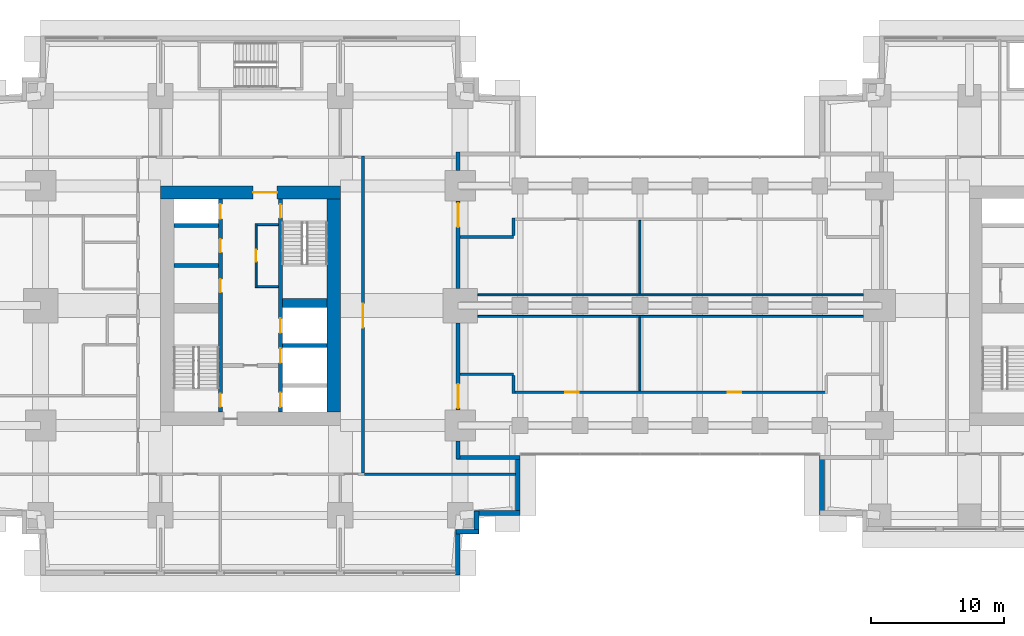
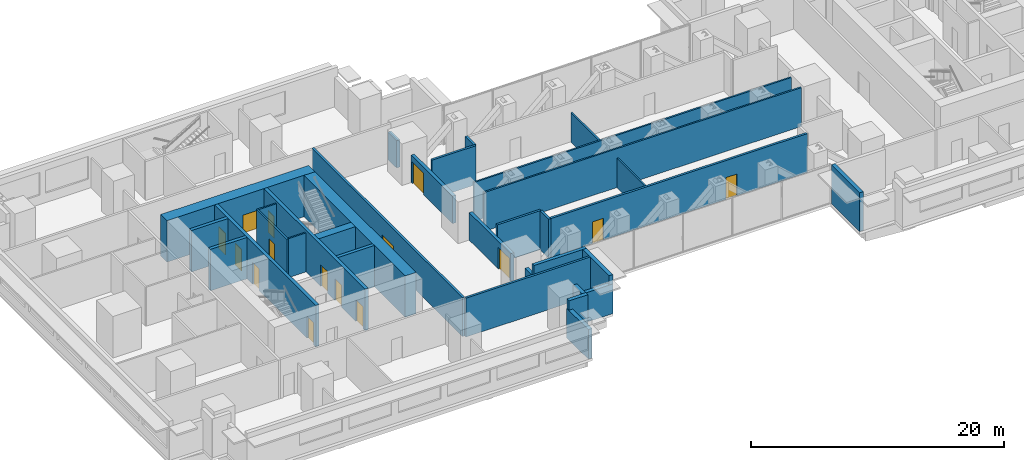
# One storey, part 8 of 14: 33 walls, 15 doors, 15 openings.
"""IFC4 building model written with IfcOpenShell, lengths in metres."""

from ifc_helpers import new_model, si_unit, direction, frame, frame_2d, origin, place, context, subcontext, project, spatial, rectangle, extrude, material, layer, layer_set, type_object, element, fill, save


model = new_model("IFC4")

# Units and contexts
model_context = context("Model", 3, precision=1e-05, world=origin(), true_north=direction((0.0, 1.0)))
body_context = subcontext(model_context, "Body", "Model", "MODEL_VIEW")
ifc_project = project(units=[si_unit("LENGTHUNIT", "METRE"), si_unit("AREAUNIT", "SQUARE_METRE"), si_unit("VOLUMEUNIT", "CUBIC_METRE"), si_unit("PLANEANGLEUNIT", "RADIAN"), si_unit("MASSUNIT", "GRAM", prefix="KILO")], contexts=[model_context])

# Site, building, storey
site_placement = place(None, origin())
site = spatial("IfcSite", under=ifc_project, at=site_placement, CompositionType="ELEMENT")
building_placement = place(site_placement, origin())
building = spatial("IfcBuilding", under=site, at=building_placement, Name="Namib Vertical Campus", CompositionType="ELEMENT")
storey_placement = place(building_placement, frame((0.0, 0.0, 133.0)))
storey = spatial("IfcBuildingStorey", under=building, at=storey_placement, Name="L31", CompositionType="ELEMENT", Elevation=133.0)

# Wall, openings, doors
ifc_material_1 = material(Name="Concrete C60/75", Category="concrete")
ifc_layer_1 = layer(ifc_material_1, 0.300048828125)
ifc_layer_set_1 = layer_set([ifc_layer_1], Name="Concrete C60/75")
wall_type_1 = type_object("IfcWallType", Name="Core inner wall 300", PredefinedType="SHEAR", material=ifc_layer_set_1)
wall_1_placement = place(storey_placement, frame((18.0, 12.25, 0.0), z_axis=(0.0, 0.0, 1.0), x_axis=(0.0, 1.0, 0.0)))
wall_1 = element("IfcWall", 1, at=wall_1_placement, inside=storey, type_object=wall_type_1, Name="Core inner wall A L31 W1", PredefinedType="SHEAR", context=body_context, shape_type="SweptSolid", body=[
    extrude(rectangle(XDim=16.0, YDim=0.300048828125, at=frame_2d((8.0, 0.0))), origin(), (0.0, 0.0, 1.0), 4.0),
])
opening_1_placement = place(wall_1_placement, frame((0.39990234375, 0.0, 0.0)))
opening_1 = element("IfcOpeningElement", 2, at=opening_1_placement, cuts=wall_1, Name="Opening FD1", PredefinedType="OPENING", context=body_context, shape_type="SweptSolid", body=[
    extrude(rectangle(XDim=1.0, YDim=2.10009765625, at=frame_2d((0.5, 1.050048828125))), frame((0.0, 0.159912109375, 0.0), z_axis=(0.0, -1.0, 0.0), x_axis=(1.0, 0.0, 0.0)), (0.0, 0.0, 1.0), 0.320068359375),
])
opening_2_placement = place(wall_1_placement, frame((14.52490234375, 0.0, 0.0)))
opening_2 = element("IfcOpeningElement", 3, at=opening_2_placement, cuts=wall_1, Name="Opening LD1", PredefinedType="OPENING", context=body_context, shape_type="SweptSolid", body=[
    extrude(rectangle(XDim=1.10009765625, YDim=2.10009765625, at=frame_2d((0.550048828125, 1.050048828125))), frame((0.0, 0.159912109375, 0.0), z_axis=(0.0, -1.0, 0.0), x_axis=(1.0, 0.0, 0.0)), (0.0, 0.0, 1.0), 0.320068359375),
])
opening_3_placement = place(wall_1_placement, frame((9.0, 0.0, 0.0)))
opening_3 = element("IfcOpeningElement", 4, at=opening_3_placement, cuts=wall_1, Name="Opening D1", PredefinedType="OPENING", context=body_context, shape_type="SweptSolid", body=[
    extrude(rectangle(XDim=1.0, YDim=2.10009765625, at=frame_2d((0.5, 1.050048828125))), frame((0.0, 0.159912109375, 0.0), z_axis=(0.0, -1.0, 0.0), x_axis=(1.0, 0.0, 0.0)), (0.0, 0.0, 1.0), 0.320068359375),
])
opening_4_placement = place(wall_1_placement, frame((12.0, 0.0, 0.0)))
opening_4 = element("IfcOpeningElement", 5, at=opening_4_placement, cuts=wall_1, Name="Opening D1", PredefinedType="OPENING", context=body_context, shape_type="SweptSolid", body=[
    extrude(rectangle(XDim=1.0, YDim=2.10009765625, at=frame_2d((0.5, 1.050048828125))), frame((0.0, 0.159912109375, 0.0), z_axis=(0.0, -1.0, 0.0), x_axis=(1.0, 0.0, 0.0)), (0.0, 0.0, 1.0), 0.320068359375),
])
ifc_material_2 = material(Name="Timber door leaf", Category="wood")
door_type_1 = type_object("IfcDoorType", Name="Door single 1000x2100", OperationType="SINGLE_SWING_LEFT", PredefinedType="DOOR", material=ifc_material_2)
door_1_placement = place(opening_3_placement, origin())
door_1 = element("IfcDoor", 6, at=door_1_placement, inside=storey, type_object=door_type_1, Name="Door D1 Store A L31 P1", OperationType="SINGLE_SWING_LEFT", OverallHeight=2.10009765625, OverallWidth=1.0, PredefinedType="DOOR", context=body_context, shape_type="SweptSolid", body=[
    extrude(rectangle(XDim=1.0, YDim=2.10009765625, at=frame_2d((0.5, 1.050048828125))), frame((0.0, 0.02490234375, 0.0), z_axis=(0.0, -1.0, 0.0), x_axis=(1.0, 0.0, 0.0)), (0.0, 0.0, 1.0), 0.050048828125),
])
fill(opening_3, door_1)
door_2_placement = place(opening_4_placement, origin())
door_2 = element("IfcDoor", 7, at=door_2_placement, inside=storey, type_object=door_type_1, Name="Door D1 Comms room A L31 P2", OperationType="SINGLE_SWING_LEFT", OverallHeight=2.10009765625, OverallWidth=1.0, PredefinedType="DOOR", context=body_context, shape_type="SweptSolid", body=[
    extrude(rectangle(XDim=1.0, YDim=2.10009765625, at=frame_2d((0.5, 1.050048828125))), frame((0.0, 0.02490234375, 0.0), z_axis=(0.0, -1.0, 0.0), x_axis=(1.0, 0.0, 0.0)), (0.0, 0.0, 1.0), 0.050048828125),
])
fill(opening_4, door_2)
ifc_material_3 = material(Name="Steel fire door", Category="steel")
door_type_2 = type_object("IfcDoorType", Name="Fire door 1000x2100", OperationType="SINGLE_SWING_RIGHT", PredefinedType="DOOR", material=ifc_material_3)
door_3_placement = place(opening_1_placement, origin())
door_3 = element("IfcDoor", 8, at=door_3_placement, inside=storey, type_object=door_type_2, Name="Stair door FD1 A L31 S1", OperationType="SINGLE_SWING_LEFT", OverallHeight=2.10009765625, OverallWidth=1.0, PredefinedType="DOOR", context=body_context, shape_type="SweptSolid", body=[
    extrude(rectangle(XDim=1.0, YDim=2.10009765625, at=frame_2d((0.5, 1.050048828125))), frame((0.0, 0.02490234375, 0.0), z_axis=(0.0, -1.0, 0.0), x_axis=(1.0, 0.0, 0.0)), (0.0, 0.0, 1.0), 0.050048828125),
])
fill(opening_1, door_3)
ifc_material_4 = material(Name="Stainless steel lift door", Category="steel")
door_type_3 = type_object("IfcDoorType", Name="Lift landing door 1100x2100", OperationType="DOUBLE_DOOR_SLIDING", PredefinedType="DOOR", material=ifc_material_4)
door_4_placement = place(opening_2_placement, origin())
door_4 = element("IfcDoor", 9, at=door_4_placement, inside=storey, type_object=door_type_3, Name="Lift landing door LD1 A-P3 L31", OperationType="DOUBLE_DOOR_SLIDING", OverallHeight=2.10009765625, OverallWidth=1.10009765625, PredefinedType="DOOR", context=body_context, shape_type="SweptSolid", body=[
    extrude(rectangle(XDim=1.10009765625, YDim=2.10009765625, at=frame_2d((0.550048828125, 1.050048828125))), frame((0.0, 0.02490234375, 0.0), z_axis=(0.0, -1.0, 0.0), x_axis=(1.0, 0.0, 0.0)), (0.0, 0.0, 1.0), 0.050048828125),
])
fill(opening_2, door_4)

wall_2_placement = place(storey_placement, frame((22.5, 12.25, 0.0), z_axis=(0.0, 0.0, 1.0), x_axis=(0.0, 1.0, 0.0)))
wall_2 = element("IfcWall", 10, at=wall_2_placement, inside=storey, type_object=wall_type_1, Name="Core inner wall A L31 W2", PredefinedType="SHEAR", context=body_context, shape_type="SweptSolid", body=[
    extrude(rectangle(XDim=16.0, YDim=0.300048828125, at=frame_2d((8.0, 0.0))), origin(), (0.0, 0.0, 1.0), 4.0),
])
opening_5_placement = place(wall_2_placement, frame((14.60009765625, 0.0, 0.0)))
opening_5 = element("IfcOpeningElement", 11, at=opening_5_placement, cuts=wall_2, Name="Opening FD1", PredefinedType="OPENING", context=body_context, shape_type="SweptSolid", body=[
    extrude(rectangle(XDim=1.0, YDim=2.10009765625, at=frame_2d((0.5, 1.050048828125))), frame((0.0, 0.159912109375, 0.0), z_axis=(0.0, -1.0, 0.0), x_axis=(1.0, 0.0, 0.0)), (0.0, 0.0, 1.0), 0.320068359375),
])
opening_6_placement = place(wall_2_placement, frame((0.375, 0.0, 0.0)))
opening_6 = element("IfcOpeningElement", 12, at=opening_6_placement, cuts=wall_2, Name="Opening LD1", PredefinedType="OPENING", context=body_context, shape_type="SweptSolid", body=[
    extrude(rectangle(XDim=1.10009765625, YDim=2.10009765625, at=frame_2d((0.550048828125, 1.050048828125))), frame((0.0, 0.159912109375, 0.0), z_axis=(0.0, -1.0, 0.0), x_axis=(1.0, 0.0, 0.0)), (0.0, 0.0, 1.0), 0.320068359375),
])
opening_7_placement = place(wall_2_placement, frame((3.699951171875, 0.0, 0.0)))
opening_7 = element("IfcOpeningElement", 13, at=opening_7_placement, cuts=wall_2, Name="Opening LD1", PredefinedType="OPENING", context=body_context, shape_type="SweptSolid", body=[
    extrude(rectangle(XDim=1.10009765625, YDim=2.10009765625, at=frame_2d((0.550048828125, 1.050048828125))), frame((0.0, 0.159912109375, 0.0), z_axis=(0.0, -1.0, 0.0), x_axis=(1.0, 0.0, 0.0)), (0.0, 0.0, 1.0), 0.320068359375),
])
opening_8_placement = place(wall_2_placement, frame((5.949951171875, 0.0, 0.0)))
opening_8 = element("IfcOpeningElement", 14, at=opening_8_placement, cuts=wall_2, Name="Opening LD1", PredefinedType="OPENING", context=body_context, shape_type="SweptSolid", body=[
    extrude(rectangle(XDim=1.10009765625, YDim=2.10009765625, at=frame_2d((0.550048828125, 1.050048828125))), frame((0.0, 0.159912109375, 0.0), z_axis=(0.0, -1.0, 0.0), x_axis=(1.0, 0.0, 0.0)), (0.0, 0.0, 1.0), 0.320068359375),
])
door_5_placement = place(opening_5_placement, frame((1.0, 0.0, 0.0), z_axis=(0.0, 0.0, 1.0), x_axis=(-1.0, 0.0, 0.0)))
door_5 = element("IfcDoor", 15, at=door_5_placement, inside=storey, type_object=door_type_2, Name="Stair door FD1 A L31 S2", OperationType="SINGLE_SWING_LEFT", OverallHeight=2.10009765625, OverallWidth=1.0, PredefinedType="DOOR", context=body_context, shape_type="SweptSolid", body=[
    extrude(rectangle(XDim=1.0, YDim=2.10009765625, at=frame_2d((0.5, 1.050048828125))), frame((0.0, 0.02490234375, 0.0), z_axis=(0.0, -1.0, 0.0), x_axis=(1.0, 0.0, 0.0)), (0.0, 0.0, 1.0), 0.050048828125),
])
fill(opening_5, door_5)
door_6_placement = place(opening_6_placement, origin())
door_6 = element("IfcDoor", 16, at=door_6_placement, inside=storey, type_object=door_type_3, Name="Lift landing door LD1 A-FL1 L31", OperationType="DOUBLE_DOOR_SLIDING", OverallHeight=2.10009765625, OverallWidth=1.10009765625, PredefinedType="DOOR", context=body_context, shape_type="SweptSolid", body=[
    extrude(rectangle(XDim=1.10009765625, YDim=2.10009765625, at=frame_2d((0.550048828125, 1.050048828125))), frame((0.0, 0.02490234375, 0.0), z_axis=(0.0, -1.0, 0.0), x_axis=(1.0, 0.0, 0.0)), (0.0, 0.0, 1.0), 0.050048828125),
])
fill(opening_6, door_6)
door_7_placement = place(opening_7_placement, origin())
door_7 = element("IfcDoor", 17, at=door_7_placement, inside=storey, type_object=door_type_3, Name="Lift landing door LD1 A-P4 L31", OperationType="DOUBLE_DOOR_SLIDING", OverallHeight=2.10009765625, OverallWidth=1.10009765625, PredefinedType="DOOR", context=body_context, shape_type="SweptSolid", body=[
    extrude(rectangle(XDim=1.10009765625, YDim=2.10009765625, at=frame_2d((0.550048828125, 1.050048828125))), frame((0.0, 0.02490234375, 0.0), z_axis=(0.0, -1.0, 0.0), x_axis=(1.0, 0.0, 0.0)), (0.0, 0.0, 1.0), 0.050048828125),
])
fill(opening_7, door_7)
door_8_placement = place(opening_8_placement, origin())
door_8 = element("IfcDoor", 18, at=door_8_placement, inside=storey, type_object=door_type_3, Name="Lift landing door LD1 A-P5 L31", OperationType="DOUBLE_DOOR_SLIDING", OverallHeight=2.10009765625, OverallWidth=1.10009765625, PredefinedType="DOOR", context=body_context, shape_type="SweptSolid", body=[
    extrude(rectangle(XDim=1.10009765625, YDim=2.10009765625, at=frame_2d((0.550048828125, 1.050048828125))), frame((0.0, 0.02490234375, 0.0), z_axis=(0.0, -1.0, 0.0), x_axis=(1.0, 0.0, 0.0)), (0.0, 0.0, 1.0), 0.050048828125),
])
fill(opening_8, door_8)

# Walls
for number, where, z_axis, x_axis, name in (
    (19, (22.64990234375, 17.25, 0.0), (0.0, 0.0, 1.0), (1.0, 0.0, 0.0), "Core inner wall A L31 W6"),
    (20, (14.5, 23.25, 0.0), (0.0, 0.0, 1.0), (1.0, 0.0, 0.0), "Core inner wall A L31 W8"),
    (21, (14.5, 26.25, 0.0), (0.0, 0.0, 1.0), (1.0, 0.0, 0.0), "Core inner wall A L31 W9"),
):
    element("IfcWall", number, at=place(storey_placement, frame(where, z_axis=z_axis, x_axis=x_axis)), inside=storey, type_object=wall_type_1, Name=name, PredefinedType="SHEAR", context=body_context, shape_type="SweptSolid", body=[
        extrude(rectangle(XDim=3.35009765625, YDim=0.300048828125, at=frame_2d((1.675048828125, 0.0))), origin(), (0.0, 0.0, 1.0), 4.0),
    ])
ifc_material_5 = material(Name="Concrete C60/75", Category="concrete")
ifc_layer_2 = layer(ifc_material_5, 0.699951171875)
ifc_layer_set_2 = layer_set([ifc_layer_2], Name="Concrete C60/75")
wall_type_2 = type_object("IfcWallType", Name="Core shear wall 700", PredefinedType="SHEAR", material=ifc_layer_set_2)
wall_3_placement = place(storey_placement, frame((22.64990234375, 20.449951171875, 0.0), z_axis=(0.0, 0.0, 1.0), x_axis=(1.0, 0.0, 0.0)))
element("IfcWall", 22, at=wall_3_placement, inside=storey, type_object=wall_type_2, Name="Core shear wall A L31 W7", PredefinedType="SHEAR", context=body_context, shape_type="SweptSolid", body=[
    extrude(rectangle(XDim=3.35009765625, YDim=0.699951171875, at=frame_2d((1.675048828125, 0.0))), origin(), (0.0, 0.0, 1.0), 4.0),
])
ifc_material_6 = material(Name="Concrete C60/75", Category="concrete")
ifc_layer_3 = layer(ifc_material_6, 1.0)
ifc_layer_set_3 = layer_set([ifc_layer_3], Name="Concrete C60/75")
wall_type_3 = type_object("IfcWallType", Name="Core wall 1000", PredefinedType="SHEAR", material=ifc_layer_set_3)
wall_4_placement = place(storey_placement, frame((26.5, 12.25, 0.0), z_axis=(0.0, 0.0, 1.0), x_axis=(0.0, 1.0, 0.0)))
element("IfcWall", 23, at=wall_4_placement, inside=storey, type_object=wall_type_3, Name="Core wall A L31 2", PredefinedType="SHEAR", context=body_context, shape_type="SweptSolid", body=[
    extrude(rectangle(XDim=16.0, YDim=1.0, at=frame_2d((8.0, 0.0))), origin(), (0.0, 0.0, 1.0), 4.0),
])

# Wall, opening, door
wall_5_placement = place(storey_placement, frame((27.0, 28.75, 0.0), z_axis=(0.0, 0.0, 1.0), x_axis=(-1.0, 0.0, 0.0)))
wall_5 = element("IfcWall", 24, at=wall_5_placement, inside=storey, type_object=wall_type_3, Name="Core wall A L31 3", PredefinedType="SHEAR", context=body_context, shape_type="SweptSolid", body=[
    extrude(rectangle(XDim=13.5, YDim=1.0, at=frame_2d((6.75, 0.0))), origin(), (0.0, 0.0, 1.0), 4.0),
])
opening_9_placement = place(wall_5_placement, frame((4.75, 0.0, 0.0)))
opening_9 = element("IfcOpeningElement", 25, at=opening_9_placement, cuts=wall_5, Name="Opening FD2", PredefinedType="OPENING", context=body_context, shape_type="SweptSolid", body=[
    extrude(rectangle(XDim=1.800048828125, YDim=2.10009765625, at=frame_2d((0.89990234375, 1.050048828125))), frame((0.0, 0.510009765625, 0.0), z_axis=(0.0, -1.0, 0.0), x_axis=(1.0, 0.0, 0.0)), (0.0, 0.0, 1.0), 1.02001953125),
])
ifc_material_7 = material(Name="Steel fire door", Category="steel")
door_type_4 = type_object("IfcDoorType", Name="Fire door double 1800x2100", OperationType="DOUBLE_DOOR_SINGLE_SWING", PredefinedType="DOOR", material=ifc_material_7)
door_9_placement = place(opening_9_placement, origin())
door_9 = element("IfcDoor", 26, at=door_9_placement, inside=storey, type_object=door_type_4, Name="Lift lobby door FD2 A L31", OperationType="DOUBLE_DOOR_SINGLE_SWING", OverallHeight=2.10009765625, OverallWidth=1.800048828125, PredefinedType="DOOR", context=body_context, shape_type="SweptSolid", body=[
    extrude(rectangle(XDim=1.800048828125, YDim=2.10009765625, at=frame_2d((0.89990234375, 1.050048828125))), frame((0.0, 0.02490234375, 0.0), z_axis=(0.0, -1.0, 0.0), x_axis=(1.0, 0.0, 0.0)), (0.0, 0.0, 1.0), 0.050048828125),
])
fill(opening_9, door_9)

ifc_material_8 = material(Name="Concrete masonry", Category="masonry")
ifc_layer_4 = layer(ifc_material_8, 0.199951171875)
ifc_layer_set_4 = layer_set([ifc_layer_4], Name="Corridor wall 200")
wall_type_4 = type_object("IfcWallType", Name="Corridor wall 200", PredefinedType="SOLIDWALL", material=ifc_layer_set_4)
wall_6_placement = place(storey_placement, frame((28.699951171875, 7.699951171875, 0.0), z_axis=(0.0, 0.0, 1.0), x_axis=(0.0, 1.0, 0.0)))
wall_6 = element("IfcWall", 27, at=wall_6_placement, inside=storey, type_object=wall_type_4, Name="Corridor wall A L31 CE", PredefinedType="SOLIDWALL", context=body_context, shape_type="SweptSolid", body=[
    extrude(rectangle(XDim=23.800048828125, YDim=0.199951171875, at=frame_2d((11.89990234375, 0.0))), origin(), (0.0, 0.0, 1.0), 3.75),
])
opening_10_placement = place(wall_6_placement, frame((10.89990234375, 0.0, 0.0)))
opening_10 = element("IfcOpeningElement", 28, at=opening_10_placement, cuts=wall_6, Name="Opening FD2", PredefinedType="OPENING", context=body_context, shape_type="SweptSolid", body=[
    extrude(rectangle(XDim=1.800048828125, YDim=2.10009765625, at=frame_2d((0.89990234375, 1.050048828125))), frame((0.0, 0.10986328125, 0.0), z_axis=(0.0, -1.0, 0.0), x_axis=(1.0, 0.0, 0.0)), (0.0, 0.0, 1.0), 0.219970703125),
])
door_10_placement = place(opening_10_placement, origin())
door_10 = element("IfcDoor", 29, at=door_10_placement, inside=storey, type_object=door_type_4, Name="Door FD2 A31-05", OperationType="DOUBLE_DOOR_SINGLE_SWING", OverallHeight=2.10009765625, OverallWidth=1.800048828125, PredefinedType="DOOR", context=body_context, shape_type="SweptSolid", body=[
    extrude(rectangle(XDim=1.800048828125, YDim=2.10009765625, at=frame_2d((0.89990234375, 1.050048828125))), frame((0.0, 0.02490234375, 0.0), z_axis=(0.0, -1.0, 0.0), x_axis=(1.0, 0.0, 0.0)), (0.0, 0.0, 1.0), 0.050048828125),
])
fill(opening_10, door_10)

# Wall
wall_7_placement = place(storey_placement, frame((28.800048828125, 7.60009765625, 0.0), z_axis=(0.0, 0.0, 1.0), x_axis=(1.0, 0.0, 0.0)))
element("IfcWall", 30, at=wall_7_placement, inside=storey, type_object=wall_type_4, Name="Partition A L31 BSE", PredefinedType="SOLIDWALL", context=body_context, shape_type="SweptSolid", body=[
    extrude(rectangle(XDim=11.39990234375, YDim=0.199951171875, at=frame_2d((5.699951171875, 0.0))), origin(), (0.0, 0.0, 1.0), 3.75),
])

# Wall, openings, doors
wall_8_placement = place(storey_placement, frame((40.0, 13.75, 0.0), z_axis=(0.0, 0.0, 1.0), x_axis=(1.0, 0.0, 0.0)))
wall_8 = element("IfcWall", 31, at=wall_8_placement, inside=storey, type_object=wall_type_4, Name="Corridor wall L31", PredefinedType="SOLIDWALL", context=body_context, shape_type="SweptSolid", body=[
    extrude(rectangle(XDim=23.5, YDim=0.199951171875, at=frame_2d((11.75, 0.0))), origin(), (0.0, 0.0, 1.0), 3.75),
])
opening_11_placement = place(wall_8_placement, frame((3.89990234375, 0.0, 0.0)))
opening_11 = element("IfcOpeningElement", 32, at=opening_11_placement, cuts=wall_8, Name="Opening CD1", PredefinedType="OPENING", context=body_context, shape_type="SweptSolid", body=[
    extrude(rectangle(XDim=1.0, YDim=2.10009765625, at=frame_2d((0.5, 1.050048828125))), frame((0.0, 0.10986328125, 0.0), z_axis=(0.0, -1.0, 0.0), x_axis=(1.0, 0.0, 0.0)), (0.0, 0.0, 1.0), 0.219970703125),
])
opening_12_placement = place(wall_8_placement, frame((16.10009765625, 0.0, 0.0)))
opening_12 = element("IfcOpeningElement", 33, at=opening_12_placement, cuts=wall_8, Name="Opening CD1", PredefinedType="OPENING", context=body_context, shape_type="SweptSolid", body=[
    extrude(rectangle(XDim=1.0, YDim=2.10009765625, at=frame_2d((0.5, 1.050048828125))), frame((0.0, 0.10986328125, 0.0), z_axis=(0.0, -1.0, 0.0), x_axis=(1.0, 0.0, 0.0)), (0.0, 0.0, 1.0), 0.219970703125),
])
ifc_material_9 = material(Name="Timber fire door leaf", Category="wood")
door_type_5 = type_object("IfcDoorType", Name="Corridor door 1000x2100 20 min", OperationType="SINGLE_SWING_LEFT", PredefinedType="DOOR", material=ifc_material_9)
door_11_placement = place(opening_11_placement, origin())
door_11 = element("IfcDoor", 34, at=door_11_placement, inside=storey, type_object=door_type_5, Name="Door CD1 BR31-03", OperationType="SINGLE_SWING_LEFT", OverallHeight=2.10009765625, OverallWidth=1.0, PredefinedType="DOOR", context=body_context, shape_type="SweptSolid", body=[
    extrude(rectangle(XDim=1.0, YDim=2.10009765625, at=frame_2d((0.5, 1.050048828125))), frame((0.0, 0.02490234375, 0.0), z_axis=(0.0, -1.0, 0.0), x_axis=(1.0, 0.0, 0.0)), (0.0, 0.0, 1.0), 0.050048828125),
])
fill(opening_11, door_11)
door_12_placement = place(opening_12_placement, origin())
door_12 = element("IfcDoor", 35, at=door_12_placement, inside=storey, type_object=door_type_5, Name="Door CD1 BR31-04", OperationType="SINGLE_SWING_RIGHT", OverallHeight=2.10009765625, OverallWidth=1.0, PredefinedType="DOOR", context=body_context, shape_type="SweptSolid", body=[
    extrude(rectangle(XDim=1.0, YDim=2.10009765625, at=frame_2d((0.5, 1.050048828125))), frame((0.0, 0.02490234375, 0.0), z_axis=(0.0, -1.0, 0.0), x_axis=(1.0, 0.0, 0.0)), (0.0, 0.0, 1.0), 0.050048828125),
])
fill(opening_12, door_12)

# Walls
wall_9_placement = place(storey_placement, frame((36.0, 15.10009765625, 0.0), z_axis=(0.0, 0.0, 1.0), x_axis=(1.0, 0.0, 0.0)))
element("IfcWall", 36, at=wall_9_placement, inside=storey, type_object=wall_type_4, Name="Lobby wall L31 W", PredefinedType="SOLIDWALL", context=body_context, shape_type="SweptSolid", body=[
    extrude(rectangle(XDim=4.0, YDim=0.199951171875, at=frame_2d((2.0, 0.0))), origin(), (0.0, 0.0, 1.0), 3.75),
])
wall_10_placement = place(storey_placement, frame((40.0, 13.64990234375, 0.0), z_axis=(0.0, 0.0, 1.0), x_axis=(0.0, 1.0, 0.0)))
element("IfcWall", 37, at=wall_10_placement, inside=storey, type_object=wall_type_4, Name="Lobby side wall L31 W", PredefinedType="SOLIDWALL", context=body_context, shape_type="SweptSolid", body=[
    extrude(rectangle(XDim=1.35009765625, YDim=0.199951171875, at=frame_2d((0.675048828125, 0.0))), origin(), (0.0, 0.0, 1.0), 3.75),
])
wall_11_placement = place(storey_placement, frame((36.0, 25.39990234375, 0.0), z_axis=(0.0, 0.0, 1.0), x_axis=(1.0, 0.0, 0.0)))
element("IfcWall", 38, at=wall_11_placement, inside=storey, type_object=wall_type_4, Name="Lobby wall L31 NW", PredefinedType="SOLIDWALL", context=body_context, shape_type="SweptSolid", body=[
    extrude(rectangle(XDim=4.0, YDim=0.199951171875, at=frame_2d((2.0, 0.0))), origin(), (0.0, 0.0, 1.0), 3.75),
])
wall_12_placement = place(storey_placement, frame((40.0, 26.85009765625, 0.0), z_axis=(0.0, 0.0, 1.0), x_axis=(0.0, -1.0, 0.0)))
element("IfcWall", 39, at=wall_12_placement, inside=storey, type_object=wall_type_4, Name="Lobby side wall L31 NW", PredefinedType="SOLIDWALL", context=body_context, shape_type="SweptSolid", body=[
    extrude(rectangle(XDim=1.35009765625, YDim=0.199951171875, at=frame_2d((0.675048828125, 0.0))), origin(), (0.0, 0.0, 1.0), 3.75),
])
ifc_material_10 = material(Name="Concrete C40/50", Category="concrete")
ifc_layer_5 = layer(ifc_material_10, 0.35009765625)
ifc_layer_set_5 = layer_set([ifc_layer_5], Name="Concrete C40/50")
wall_type_5 = type_object("IfcWallType", Name="External wall 350 bush-hammered concrete", PredefinedType="STANDARD", material=ifc_layer_set_5)
wall_13_placement = place(storey_placement, frame((35.824951171875, 0.02001953125, 0.0), z_axis=(0.0, 0.0, 1.0), x_axis=(0.0, 1.0, 0.0)))
element("IfcWall", 40, at=wall_13_placement, inside=storey, type_object=wall_type_5, Name="External wall L31 F03", PredefinedType="STANDARD", context=body_context, shape_type="SweptSolid", body=[
    extrude(rectangle(XDim=3.409912109375, YDim=0.35009765625, at=frame_2d((1.705078125, 0.0))), origin(), (0.0, 0.0, 1.0), 2.85009765625),
])
for number, where, z_axis, x_axis, name in (
    (41, (35.669921875, 3.27490234375, 0.0), (0.0, 0.0, 1.0), (1.0, 0.0, 0.0), "External wall L31 F04"),
    (42, (37.22509765625, 3.1201171875, 0.0), (0.0, 0.0, 1.0), (0.0, 1.0, 0.0), "External wall L31 F05"),
):
    element("IfcWall", number, at=place(storey_placement, frame(where, z_axis=z_axis, x_axis=x_axis)), inside=storey, type_object=wall_type_5, Name=name, PredefinedType="STANDARD", context=body_context, shape_type="SweptSolid", body=[
        extrude(rectangle(XDim=1.7099609375, YDim=0.35009765625, at=frame_2d((0.85498046875, 0.0))), origin(), (0.0, 0.0, 1.0), 3.75),
    ])
wall_14_placement = place(storey_placement, frame((37.070068359375, 4.675048828125, 0.0), z_axis=(0.0, 0.0, 1.0), x_axis=(1.0, 0.0, 0.0)))
element("IfcWall", 43, at=wall_14_placement, inside=storey, type_object=wall_type_5, Name="External wall L31 F06", PredefinedType="STANDARD", context=body_context, shape_type="SweptSolid", body=[
    extrude(rectangle(XDim=3.409912109375, YDim=0.35009765625, at=frame_2d((1.705078125, 0.0))), origin(), (0.0, 0.0, 1.0), 2.85009765625),
])
for number, where, z_axis, x_axis, name in (
    (44, (40.324951171875, 4.52001953125, 0.0), (0.0, 0.0, 1.0), (0.0, 1.0, 0.0), "External wall L31 F07"),
    (45, (63.175048828125, 8.97998046875, 0.0), (0.0, 0.0, 1.0), (0.0, -1.0, 0.0), "External wall L31 F01"),
):
    element("IfcWall", number, at=place(storey_placement, frame(where, z_axis=z_axis, x_axis=x_axis)), inside=storey, type_object=wall_type_5, Name=name, PredefinedType="STANDARD", context=body_context, shape_type="SweptSolid", body=[
        extrude(rectangle(XDim=4.4599609375, YDim=0.35009765625, at=frame_2d((2.22998046875, 0.0))), origin(), (0.0, 0.0, 1.0), 3.75),
    ])
ifc_material_11 = material(Name="Concrete masonry", Category="masonry")
ifc_layer_6 = layer(ifc_material_11, 0.300048828125)
ifc_layer_set_6 = layer_set([ifc_layer_6], Name="Fire wall 300")
wall_type_6 = type_object("IfcWallType", Name="Fire wall 300", PredefinedType="SOLIDWALL", material=ifc_layer_set_6)
wall_15_placement = place(storey_placement, frame((40.47998046875, 8.85009765625, 0.0), z_axis=(0.0, 0.0, 1.0), x_axis=(-1.0, 0.0, 0.0)))
element("IfcWall", 46, at=wall_15_placement, inside=storey, type_object=wall_type_6, Name="External wall L31 F08", PredefinedType="SOLIDWALL", context=body_context, shape_type="SweptSolid", body=[
    extrude(rectangle(XDim=4.760009765625, YDim=0.300048828125, at=frame_2d((2.3798828125, 0.0))), origin(), (0.0, 0.0, 1.0), 3.75),
])
wall_16_placement = place(storey_placement, frame((35.85009765625, 8.719970703125, 0.0), z_axis=(0.0, 0.0, 1.0), x_axis=(0.0, 1.0, 0.0)))
element("IfcWall", 47, at=wall_16_placement, inside=storey, type_object=wall_type_6, Name="External wall L31 F09", PredefinedType="SOLIDWALL", context=body_context, shape_type="SweptSolid", body=[
    extrude(rectangle(XDim=1.380126953125, YDim=0.300048828125, at=frame_2d((0.68994140625, 0.0))), origin(), (0.0, 0.0, 1.0), 2.64990234375),
])

# Wall, opening, door
wall_17_placement = place(storey_placement, frame((35.85009765625, 12.39990234375, 0.0), z_axis=(0.0, 0.0, 1.0), x_axis=(0.0, 1.0, 0.0)))
wall_17 = element("IfcWall", 48, at=wall_17_placement, inside=storey, type_object=wall_type_6, Name="External wall L31 F09", PredefinedType="SOLIDWALL", context=body_context, shape_type="SweptSolid", body=[
    extrude(rectangle(XDim=6.550048828125, YDim=0.300048828125, at=frame_2d((3.27490234375, 0.0))), origin(), (0.0, 0.0, 1.0), 2.64990234375),
])
opening_13_placement = place(wall_17_placement, frame((0.14990234375, 0.0, 0.0)))
opening_13 = element("IfcOpeningElement", 49, at=opening_13_placement, cuts=wall_17, Name="Opening FD4", PredefinedType="OPENING", context=body_context, shape_type="SweptSolid", body=[
    extrude(rectangle(XDim=1.800048828125, YDim=2.10009765625, at=frame_2d((0.89990234375, 1.050048828125))), frame((0.0, 0.159912109375, 0.0), z_axis=(0.0, -1.0, 0.0), x_axis=(1.0, 0.0, 0.0)), (0.0, 0.0, 1.0), 0.320068359375),
])
ifc_material_12 = material(Name="Steel fire door", Category="steel")
door_type_6 = type_object("IfcDoorType", Name="Fire door double 1800x2100 120 min", OperationType="DOUBLE_DOOR_SINGLE_SWING", PredefinedType="DOOR", material=ifc_material_12)
door_13_placement = place(opening_13_placement, origin())
door_13 = element("IfcDoor", 50, at=door_13_placement, inside=storey, type_object=door_type_6, Name="Bridge fire door FD4 A L31", OperationType="DOUBLE_DOOR_SINGLE_SWING", OverallHeight=2.10009765625, OverallWidth=1.800048828125, PredefinedType="DOOR", context=body_context, shape_type="SweptSolid", body=[
    extrude(rectangle(XDim=1.800048828125, YDim=2.10009765625, at=frame_2d((0.89990234375, 1.050048828125))), frame((0.0, 0.02490234375, 0.0), z_axis=(0.0, -1.0, 0.0), x_axis=(1.0, 0.0, 0.0)), (0.0, 0.0, 1.0), 0.050048828125),
])
fill(opening_13, door_13)

wall_18_placement = place(storey_placement, frame((35.85009765625, 21.550048828125, 0.0), z_axis=(0.0, 0.0, 1.0), x_axis=(0.0, 1.0, 0.0)))
wall_18 = element("IfcWall", 51, at=wall_18_placement, inside=storey, type_object=wall_type_6, Name="External wall L31 F09", PredefinedType="SOLIDWALL", context=body_context, shape_type="SweptSolid", body=[
    extrude(rectangle(XDim=6.550048828125, YDim=0.300048828125, at=frame_2d((3.27490234375, 0.0))), origin(), (0.0, 0.0, 1.0), 2.64990234375),
])
opening_14_placement = place(wall_18_placement, frame((4.60009765625, 0.0, 0.0)))
opening_14 = element("IfcOpeningElement", 52, at=opening_14_placement, cuts=wall_18, Name="Opening FD4", PredefinedType="OPENING", context=body_context, shape_type="SweptSolid", body=[
    extrude(rectangle(XDim=1.800048828125, YDim=2.10009765625, at=frame_2d((0.89990234375, 1.050048828125))), frame((0.0, 0.159912109375, 0.0), z_axis=(0.0, -1.0, 0.0), x_axis=(1.0, 0.0, 0.0)), (0.0, 0.0, 1.0), 0.320068359375),
])
door_14_placement = place(opening_14_placement, origin())
door_14 = element("IfcDoor", 53, at=door_14_placement, inside=storey, type_object=door_type_6, Name="Bridge fire door FD4 A L31 north", OperationType="DOUBLE_DOOR_SINGLE_SWING", OverallHeight=2.10009765625, OverallWidth=1.800048828125, PredefinedType="DOOR", context=body_context, shape_type="SweptSolid", body=[
    extrude(rectangle(XDim=1.800048828125, YDim=2.10009765625, at=frame_2d((0.89990234375, 1.050048828125))), frame((0.0, 0.02490234375, 0.0), z_axis=(0.0, -1.0, 0.0), x_axis=(1.0, 0.0, 0.0)), (0.0, 0.0, 1.0), 0.050048828125),
])
fill(opening_14, door_14)

# Wall
wall_19_placement = place(storey_placement, frame((35.85009765625, 30.39990234375, 0.0), z_axis=(0.0, 0.0, 1.0), x_axis=(0.0, 1.0, 0.0)))
element("IfcWall", 54, at=wall_19_placement, inside=storey, type_object=wall_type_6, Name="External wall L31 F09", PredefinedType="SOLIDWALL", context=body_context, shape_type="SweptSolid", body=[
    extrude(rectangle(XDim=1.380126953125, YDim=0.300048828125, at=frame_2d((0.68994140625, 0.0))), origin(), (0.0, 0.0, 1.0), 2.64990234375),
])

# Wall, opening, door
ifc_material_13 = material(Name="Gypsum board on steel studs", Category="steel")
ifc_layer_7 = layer(ifc_material_13, 0.14990234375)
ifc_layer_set_7 = layer_set([ifc_layer_7], Name="Gypsum board on steel studs")
wall_type_7 = type_object("IfcWallType", Name="Partition 150", PredefinedType="PARTITIONING", material=ifc_layer_set_7)
wall_20_placement = place(storey_placement, frame((20.675048828125, 21.60009765625, 0.0), z_axis=(0.0, 0.0, 1.0), x_axis=(0.0, 1.0, 0.0)))
wall_20 = element("IfcWall", 55, at=wall_20_placement, inside=storey, type_object=wall_type_7, Name="Partition A L31 Staff pantry front", PredefinedType="PARTITIONING", context=body_context, shape_type="SweptSolid", body=[
    extrude(rectangle(XDim=4.7998046875, YDim=0.14990234375, at=frame_2d((2.39990234375, 0.0))), origin(), (0.0, 0.0, 1.0), 3.75),
])
opening_15_placement = place(wall_20_placement, frame((1.949951171875, 0.0, 0.0)))
opening_15 = element("IfcOpeningElement", 56, at=opening_15_placement, cuts=wall_20, Name="Opening D3", PredefinedType="OPENING", context=body_context, shape_type="SweptSolid", body=[
    extrude(rectangle(XDim=0.89990234375, YDim=2.10009765625, at=frame_2d((0.449951171875, 1.050048828125))), frame((0.0, 0.0849609375, 0.0), z_axis=(0.0, -1.0, 0.0), x_axis=(1.0, 0.0, 0.0)), (0.0, 0.0, 1.0), 0.169921875),
])
ifc_material_14 = material(Name="Timber door leaf", Category="wood")
door_type_7 = type_object("IfcDoorType", Name="Toilet door 900x2100", OperationType="SINGLE_SWING_LEFT", PredefinedType="DOOR", material=ifc_material_14)
door_15_placement = place(opening_15_placement, frame((0.89990234375, 0.0, 0.0), z_axis=(0.0, 0.0, 1.0), x_axis=(-1.0, 0.0, 0.0)))
door_15 = element("IfcDoor", 57, at=door_15_placement, inside=storey, type_object=door_type_7, Name="Door D3 Staff pantry A L31", OperationType="SINGLE_SWING_RIGHT", OverallHeight=2.10009765625, OverallWidth=0.89990234375, PredefinedType="DOOR", context=body_context, shape_type="SweptSolid", body=[
    extrude(rectangle(XDim=0.89990234375, YDim=2.10009765625, at=frame_2d((0.449951171875, 1.050048828125))), frame((0.0, 0.02490234375, 0.0), z_axis=(0.0, -1.0, 0.0), x_axis=(1.0, 0.0, 0.0)), (0.0, 0.0, 1.0), 0.050048828125),
])
fill(opening_15, door_15)

# Walls
for number, where, z_axis, x_axis, name in (
    (58, (20.75, 21.675048828125, 0.0), (0.0, 0.0, 1.0), (1.0, 0.0, 0.0), "Partition A L31 Staff pantry end 1"),
    (59, (20.75, 26.324951171875, 0.0), (0.0, 0.0, 1.0), (1.0, 0.0, 0.0), "Partition A L31 Staff pantry end 2"),
):
    element("IfcWall", number, at=place(storey_placement, frame(where, z_axis=z_axis, x_axis=x_axis)), inside=storey, type_object=wall_type_7, Name=name, PredefinedType="PARTITIONING", context=body_context, shape_type="SweptSolid", body=[
        extrude(rectangle(XDim=1.60009765625, YDim=0.14990234375, at=frame_2d((0.800048828125, 0.0))), origin(), (0.0, 0.0, 1.0), 3.75),
    ])
for number, where, z_axis, x_axis, name in (
    (60, (37.320068359375, 19.449951171875, 0.0), (0.0, 0.0, 1.0), (1.0, 0.0, 0.0), "Spine wall L31 S"),
    (61, (37.320068359375, 21.050048828125, 0.0), (0.0, 0.0, 1.0), (1.0, 0.0, 0.0), "Spine wall L31 N"),
):
    element("IfcWall", number, at=place(storey_placement, frame(where, z_axis=z_axis, x_axis=x_axis)), inside=storey, type_object=wall_type_7, Name=name, PredefinedType="PARTITIONING", context=body_context, shape_type="SweptSolid", body=[
        extrude(rectangle(XDim=28.9599609375, YDim=0.14990234375, at=frame_2d((14.47998046875, 0.0))), origin(), (0.0, 0.0, 1.0), 3.75),
    ])
for number, where, z_axis, x_axis, name in (
    (62, (49.5, 13.85009765625, 0.0), (0.0, 0.0, 1.0), (0.0, 1.0, 0.0), "Partition bridge L31 S1"),
    (63, (49.5, 26.64990234375, 0.0), (0.0, 0.0, 1.0), (0.0, -1.0, 0.0), "Partition bridge L31 N1"),
):
    element("IfcWall", number, at=place(storey_placement, frame(where, z_axis=z_axis, x_axis=x_axis)), inside=storey, type_object=wall_type_7, Name=name, PredefinedType="PARTITIONING", context=body_context, shape_type="SweptSolid", body=[
        extrude(rectangle(XDim=5.52490234375, YDim=0.14990234375, at=frame_2d((2.762451171875, 0.0))), origin(), (0.0, 0.0, 1.0), 2.82958984375),
    ])

save(model, "model.ifc")
